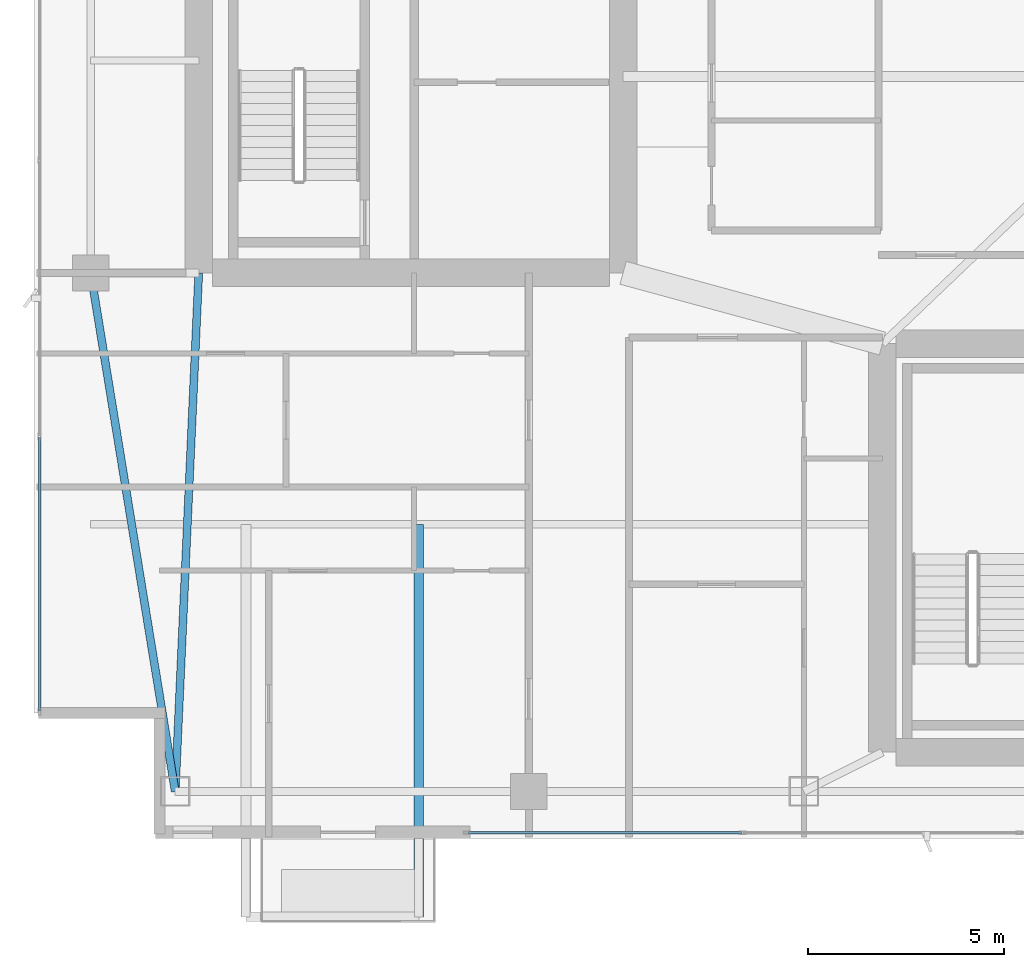
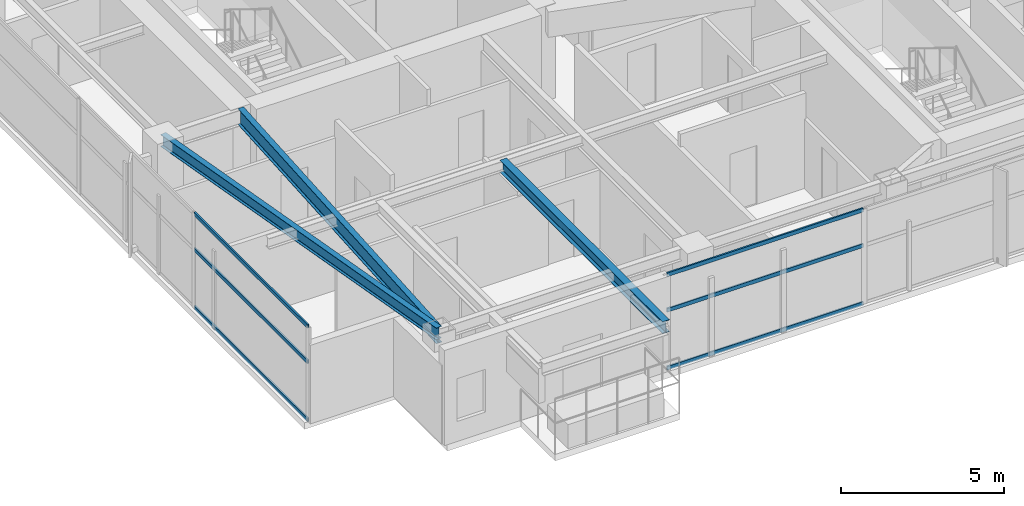
# One storey, part 3 of 27: 6 members, 3 beams, 2 elements without a shape of their own.
"""IFC4 building model written with IfcOpenShell, lengths in metres."""

from ifc_helpers import new_model, si_unit, direction, frame, origin, origin_2d, place, context, subcontext, project, spatial, hollow_rectangle, i_section, extrude, material, layer, layer_set, material_profile, profile_set, type_object, element, aggregate, save


model = new_model("IFC4")

# Units and contexts
model_context = context("Model", 3, precision=1e-05, world=origin(), true_north=direction((0.0, 1.0)))
body_context = subcontext(model_context, "Body", "Model", "MODEL_VIEW")
ifc_project = project(units=[si_unit("LENGTHUNIT", "METRE"), si_unit("AREAUNIT", "SQUARE_METRE"), si_unit("VOLUMEUNIT", "CUBIC_METRE"), si_unit("PLANEANGLEUNIT", "RADIAN"), si_unit("MASSUNIT", "GRAM", prefix="KILO")], contexts=[model_context])

# Site, building, storey
site_placement = place(None, origin())
site = spatial("IfcSite", under=ifc_project, at=site_placement, CompositionType="ELEMENT")
building_placement = place(site_placement, origin())
building = spatial("IfcBuilding", under=site, at=building_placement, Name="Calvorn Quay Hotel", CompositionType="ELEMENT")
storey_placement = place(building_placement, frame((0.0, 0.0, 226.89990234375)))
storey = spatial("IfcBuildingStorey", under=building, at=storey_placement, Name="L56", CompositionType="ELEMENT", Elevation=226.89990234375)

# Beams
ifc_material_1 = material(Name="Steel Q355B", Category="steel")
ifc_material_profile_1 = material_profile(ifc_material_1, i_section(OverallWidth=0.25, OverallDepth=0.449951171875, WebThickness=0.011962890625, FlangeThickness=0.01611328125, FilletRadius=0.01611328125, at=origin_2d()), Name="HN450x250x12x16")
ifc_profile_set_1 = profile_set([ifc_material_profile_1], Name="Steel Q355B")
beam_type_1 = type_object("IfcBeamType", Name="BM-CANT-BALC", PredefinedType="BEAM", material=ifc_profile_set_1)
beam_1_placement = place(storey_placement, frame((9.800048828125, 10.39990234375, 3.315185546875), z_axis=(0.0, -1.0, 0.0), x_axis=(1.0, 0.0, 0.0)))
element("IfcBeam", 1, at=beam_1_placement, inside=storey, type_object=beam_type_1, Name="Cantilever Balcony Beam BCB-L57-2B", PredefinedType="BEAM", context=body_context, shape_type="SweptSolid", body=[
    extrude(i_section(OverallWidth=0.25, OverallDepth=0.449951171875, WebThickness=0.011962890625, FlangeThickness=0.01611328125, FilletRadius=0.01611328125, at=origin_2d()), origin(), (0.0, 0.0, 1.0), 9.989990234375),
])
ifc_material_2 = material(Name="Steel Q355B", Category="steel")
ifc_material_profile_2 = material_profile(ifc_material_2, i_section(OverallWidth=0.199951171875, OverallDepth=0.60009765625, WebThickness=0.010986328125, FlangeThickness=0.01708984375, FilletRadius=0.01806640625, at=origin_2d()), Name="HN600x200x11x17")
ifc_profile_set_2 = profile_set([ifc_material_profile_2], Name="Steel Q355B")
beam_type_2 = type_object("IfcBeamType", Name="BM-GIRD-TYP", PredefinedType="BEAM", material=ifc_profile_set_2)
beam_2_placement = place(storey_placement, frame((3.60009765625, 3.60009765625, 3.239990234375), z_axis=(0.045396765494, 0.998969035397, 0.0), x_axis=(-0.998969035397, 0.045396765494, 0.0)))
element("IfcBeam", 2, at=beam_2_placement, inside=storey, type_object=beam_type_2, Name="Beam BG-L56-W0", PredefinedType="BEAM", context=body_context, shape_type="SweptSolid", body=[
    extrude(i_section(OverallWidth=0.199951171875, OverallDepth=0.60009765625, WebThickness=0.010986328125, FlangeThickness=0.01708984375, FilletRadius=0.01806640625, at=origin_2d()), origin(), (0.0, 0.0, 1.0), 13.213623046875),
])
ifc_material_3 = material(Name="Steel Q355B", Category="steel")
ifc_material_profile_3 = material_profile(ifc_material_3, i_section(OverallWidth=0.199951171875, OverallDepth=0.449951171875, WebThickness=0.009033203125, FlangeThickness=0.013916015625, FilletRadius=0.01611328125, at=origin_2d()), Name="HN450x200x9x14")
ifc_profile_set_3 = profile_set([ifc_material_profile_3], Name="Steel Q355B")
beam_type_3 = type_object("IfcBeamType", Name="BM-SPANDREL-Z3", PredefinedType="SPANDREL", material=ifc_profile_set_3)
beam_3_placement = place(storey_placement, frame((3.60009765625, 3.60009765625, 3.315185546875), z_axis=(-0.16077155054, 0.986991645627, 0.0), x_axis=(-0.986991645627, -0.16077155054, 0.0)))
element("IfcBeam", 3, at=beam_3_placement, inside=storey, type_object=beam_type_3, Name="Beam BSP-L56-W1", PredefinedType="SPANDREL", context=body_context, shape_type="SweptSolid", body=[
    extrude(i_section(OverallWidth=0.199951171875, OverallDepth=0.449951171875, WebThickness=0.009033203125, FlangeThickness=0.013916015625, FilletRadius=0.01611328125, at=origin_2d()), origin(), (0.0, 0.0, 1.0), 13.3740234375),
])

# Curtain wall, members
ifc_material_4 = material(Name="Champagne Bronze Anodised Aluminium and Low-E Glass", Category="aluminium")
ifc_layer = layer(ifc_material_4, 0.219970703125)
ifc_layer_set = layer_set([ifc_layer], Name="CW-SYS-Z3")
curtain_wall_type = type_object("IfcCurtainWallType", Name="CW-SYS-Z3", PredefinedType="NOTDEFINED", material=ifc_layer_set)
curtain_wall_1_placement = place(storey_placement, origin())
curtain_wall_1 = element("IfcCurtainWall", 4, at=curtain_wall_1_placement, inside=storey, type_object=curtain_wall_type, Name="Tower West Curtain Wall (L56)", PredefinedType="NOTDEFINED")
ifc_material_5 = material(Name="Champagne Bronze Anodised Aluminium 6063-T6", Category="aluminium")
ifc_material_profile_4 = material_profile(ifc_material_5, hollow_rectangle(XDim=0.05810546875, YDim=0.139892578125, WallThickness=0.003173828125, at=origin_2d()), Name="ALU-T140x58x3.2")
ifc_profile_set_4 = profile_set([ifc_material_profile_4], Name="Champagne Bronze Anodised Aluminium 6063-T6")
member_type = type_object("IfcMemberType", Name="CW-SYS-Z3-TRN", PredefinedType="USERDEFINED", material=ifc_profile_set_4)
member_1_placement = place(storey_placement, frame((0.14990234375, 5.659912109375, 0.030029296875), z_axis=(0.0, 1.0, 0.0), x_axis=(-1.0, 0.0, 0.0)))
member_1 = element("IfcMember", 5, at=member_1_placement, type_object=member_type, Name="CW-L56-W transom 1.1", ObjectType="TRANSOM", PredefinedType="USERDEFINED", context=body_context, shape_type="SweptSolid", body=[
    extrude(hollow_rectangle(XDim=0.05810546875, YDim=0.139892578125, WallThickness=0.003173828125, at=origin_2d()), origin(), (0.0, 0.0, 1.0), 6.943359375),
])
member_2_placement = place(storey_placement, frame((0.14990234375, 5.659912109375, 2.2001953125), z_axis=(0.0, 1.0, 0.0), x_axis=(-1.0, 0.0, 0.0)))
member_2 = element("IfcMember", 6, at=member_2_placement, type_object=member_type, Name="CW-L56-W transom 1.2", ObjectType="TRANSOM", PredefinedType="USERDEFINED", context=body_context, shape_type="SweptSolid", body=[
    extrude(hollow_rectangle(XDim=0.05810546875, YDim=0.139892578125, WallThickness=0.003173828125, at=origin_2d()), origin(), (0.0, 0.0, 1.0), 6.943359375),
])
member_3_placement = place(storey_placement, frame((0.14990234375, 5.659912109375, 3.530029296875), z_axis=(0.0, 1.0, 0.0), x_axis=(-1.0, 0.0, 0.0)))
member_3 = element("IfcMember", 7, at=member_3_placement, type_object=member_type, Name="CW-L56-W transom 1.3", ObjectType="TRANSOM", PredefinedType="USERDEFINED", context=body_context, shape_type="SweptSolid", body=[
    extrude(hollow_rectangle(XDim=0.05810546875, YDim=0.139892578125, WallThickness=0.003173828125, at=origin_2d()), origin(), (0.0, 0.0, 1.0), 6.943359375),
])
aggregate(curtain_wall_1, [member_1, member_2, member_3])

curtain_wall_2_placement = place(storey_placement, origin())
curtain_wall_2 = element("IfcCurtainWall", 8, at=curtain_wall_2_placement, inside=storey, type_object=curtain_wall_type, Name="Tower South Waterfront Curtain Wall (L56)", PredefinedType="NOTDEFINED")
member_4_placement = place(storey_placement, frame((11.06005859375, 2.550048828125, 0.030029296875), z_axis=(1.0, 0.0, 0.0), x_axis=(0.0, 1.0, 0.0)))
member_4 = element("IfcMember", 9, at=member_4_placement, type_object=member_type, Name="CW-L56-S transom 1.1", ObjectType="TRANSOM", PredefinedType="USERDEFINED", context=body_context, shape_type="SweptSolid", body=[
    extrude(hollow_rectangle(XDim=0.05810546875, YDim=0.139892578125, WallThickness=0.003173828125, at=origin_2d()), origin(), (0.0, 0.0, 1.0), 6.949951171875),
])
member_5_placement = place(storey_placement, frame((11.06005859375, 2.550048828125, 2.2001953125), z_axis=(1.0, 0.0, 0.0), x_axis=(0.0, 1.0, 0.0)))
member_5 = element("IfcMember", 10, at=member_5_placement, type_object=member_type, Name="CW-L56-S transom 1.2", ObjectType="TRANSOM", PredefinedType="USERDEFINED", context=body_context, shape_type="SweptSolid", body=[
    extrude(hollow_rectangle(XDim=0.05810546875, YDim=0.139892578125, WallThickness=0.003173828125, at=origin_2d()), origin(), (0.0, 0.0, 1.0), 6.949951171875),
])
member_6_placement = place(storey_placement, frame((11.06005859375, 2.550048828125, 3.530029296875), z_axis=(1.0, 0.0, 0.0), x_axis=(0.0, 1.0, 0.0)))
member_6 = element("IfcMember", 11, at=member_6_placement, type_object=member_type, Name="CW-L56-S transom 1.3", ObjectType="TRANSOM", PredefinedType="USERDEFINED", context=body_context, shape_type="SweptSolid", body=[
    extrude(hollow_rectangle(XDim=0.05810546875, YDim=0.139892578125, WallThickness=0.003173828125, at=origin_2d()), origin(), (0.0, 0.0, 1.0), 6.949951171875),
])
aggregate(curtain_wall_2, [member_4, member_5, member_6])

save(model, "model.ifc")
